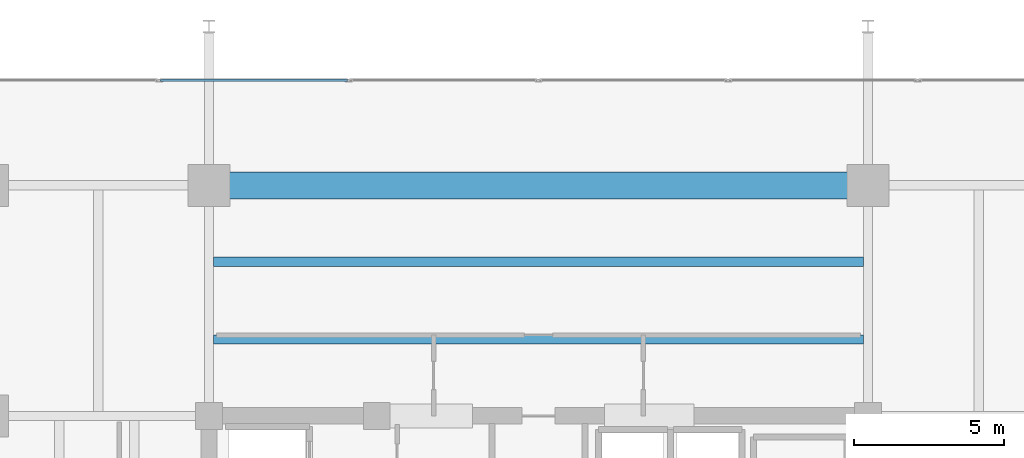
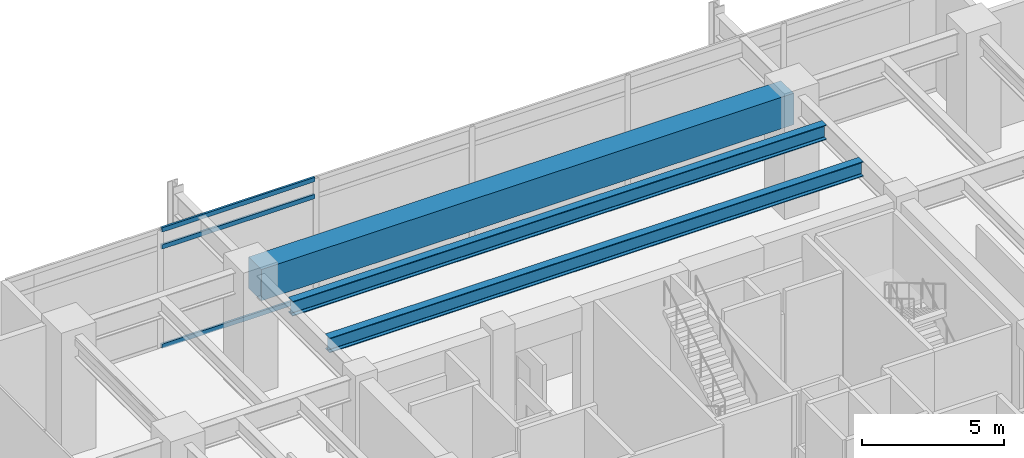
# One storey, part 15 of 24: 3 beams, 3 members, 1 element without a shape of its own.
"""IFC4 building model written with IfcOpenShell, lengths in metres."""

from ifc_helpers import new_model, si_unit, direction, frame, origin, origin_2d, place, context, subcontext, project, spatial, rectangle, hollow_rectangle, i_section, extrude, material, material_profile, profile_set, type_object, element, aggregate, save


model = new_model("IFC4")

# Units and contexts
model_context = context("Model", 3, precision=1e-05, world=origin(), true_north=direction((0.0, 1.0)))
body_context = subcontext(model_context, "Body", "Model", "MODEL_VIEW")
ifc_project = project(units=[si_unit("LENGTHUNIT", "METRE"), si_unit("AREAUNIT", "SQUARE_METRE"), si_unit("VOLUMEUNIT", "CUBIC_METRE"), si_unit("PLANEANGLEUNIT", "RADIAN"), si_unit("MASSUNIT", "GRAM", prefix="KILO")], contexts=[model_context])

# Site, building, storey
site_placement = place(None, origin())
site = spatial("IfcSite", under=ifc_project, at=site_placement, CompositionType="ELEMENT")
building_placement = place(site_placement, origin())
building = spatial("IfcBuilding", under=site, at=building_placement, Name="Kovane Verandah Tower", CompositionType="ELEMENT")
storey_placement = place(building_placement, frame((0.0, 0.0, 194.800048828125)))
storey = spatial("IfcBuildingStorey", under=building, at=storey_placement, Name="L45", CompositionType="ELEMENT", Elevation=194.800048828125)

# Beams
ifc_material_1 = material(Name="Concrete C80/95", Category="concrete")
ifc_material_profile_1 = material_profile(ifc_material_1, rectangle(XDim=0.89990234375, YDim=1.35009765625, at=origin_2d()), Name="RCB900x1350")
ifc_profile_set_1 = profile_set([ifc_material_profile_1], Name="Concrete C80/95")
beam_type_1 = type_object("IfcBeamType", Name="BM-TR-900x1350", PredefinedType="BEAM", material=ifc_profile_set_1)
beam_placement = place(storey_placement, frame((29.179931640625, 44.199951171875, 4.425048828125), z_axis=(1.0, 0.0, 0.0), x_axis=(0.0, 1.0, 0.0)))
element("IfcBeam", 1, at=beam_placement, inside=storey, type_object=beam_type_1, Name="L45 Primary Tower Girder G-RN2", PredefinedType="BEAM", context=body_context, shape_type="SweptSolid", body=[
    extrude(rectangle(XDim=0.89990234375, YDim=1.35009765625, at=origin_2d()), origin(), (0.0, 0.0, 1.0), 21.64013671875),
])
ifc_material_2 = material(Name="Steel S460", Category="steel")
ifc_material_profile_2 = material_profile(ifc_material_2, i_section(OverallWidth=0.311279296875, OverallDepth=0.6357421875, WebThickness=0.018310546875, FlangeThickness=0.031494140625, FilletRadius=0.0166015625, at=origin_2d()), Name="UB610x305x238")
ifc_profile_set_2 = profile_set([ifc_material_profile_2], Name="Steel S460")
beam_type_2 = type_object("IfcBeamType", Name="BM-UB610x238", PredefinedType="BEAM", material=ifc_profile_set_2)
for number, where, z_axis, x_axis, name in (
    (2, (29.15185546875, 39.050048828125, 4.781982421875), (1.0, 0.0, 0.0), (0.0, 1.0, 0.0), "L45 Secondary Composite Joist J-N1"),
    (3, (29.15185546875, 41.64990234375, 4.781982421875), (1.0, 0.0, 0.0), (0.0, 1.0, 0.0), "L45 Secondary Composite Joist J-N2"),
):
    element("IfcBeam", number, at=place(storey_placement, frame(where, z_axis=z_axis, x_axis=x_axis)), inside=storey, type_object=beam_type_2, Name=name, PredefinedType="BEAM", context=body_context, shape_type="SweptSolid", body=[
        extrude(i_section(OverallWidth=0.311279296875, OverallDepth=0.6357421875, WebThickness=0.018310546875, FlangeThickness=0.031494140625, FilletRadius=0.0166015625, at=origin_2d()), origin(), (0.0, 0.0, 1.0), 21.6962890625),
    ])

# Curtain wall, members
ifc_material_3 = material(Name="Champagne Anodised Aluminium Frame with Low-E Clear Laminated Glass", Category="aluminium")
curtain_wall_type = type_object("IfcCurtainWallType", Name="CW-SYS-04-WAIST", PredefinedType="NOTDEFINED", material=ifc_material_3)
curtain_wall_placement = place(storey_placement, origin())
curtain_wall = element("IfcCurtainWall", 4, at=curtain_wall_placement, inside=storey, type_object=curtain_wall_type, Name="L45 N Unitised Curtain Wall", PredefinedType="NOTDEFINED")
ifc_material_4 = material(Name="Champagne Anodised Aluminium 6063-T6", Category="aluminium")
ifc_material_profile_3 = material_profile(ifc_material_4, hollow_rectangle(XDim=0.0849609375, YDim=0.18994140625, WallThickness=0.00390625, at=origin_2d()), Name="AL85x190x4")
ifc_profile_set_3 = profile_set([ifc_material_profile_3], Name="Champagne Anodised Aluminium 6063-T6")
member_type = type_object("IfcMemberType", Name="CW-TRN-85x190", PredefinedType="USERDEFINED", material=ifc_profile_set_3)
member_1_placement = place(storey_placement, frame((33.61669921875, 47.699951171875, 0.050048828125), z_axis=(-1.0, 0.0, 0.0), x_axis=(0.0, -1.0, 0.0)))
member_1 = element("IfcMember", 5, at=member_1_placement, type_object=member_type, Name="L45 N Unitised Curtain Wall Transom TB Bay 5", ObjectType="TRANSOM", PredefinedType="USERDEFINED", context=body_context, shape_type="SweptSolid", body=[
    extrude(hollow_rectangle(XDim=0.0849609375, YDim=0.18994140625, WallThickness=0.00390625, at=origin_2d()), origin(), (0.0, 0.0, 1.0), 6.2333984375),
])
member_2_placement = place(storey_placement, frame((33.61669921875, 47.699951171875, 4.320068359375), z_axis=(-1.0, 0.0, 0.0), x_axis=(0.0, -1.0, 0.0)))
member_2 = element("IfcMember", 6, at=member_2_placement, type_object=member_type, Name="L45 N Unitised Curtain Wall Transom TM Bay 5", ObjectType="TRANSOM", PredefinedType="USERDEFINED", context=body_context, shape_type="SweptSolid", body=[
    extrude(hollow_rectangle(XDim=0.0849609375, YDim=0.18994140625, WallThickness=0.00390625, at=origin_2d()), origin(), (0.0, 0.0, 1.0), 6.2333984375),
])
member_3_placement = place(storey_placement, frame((33.61669921875, 47.699951171875, 5.050048828125), z_axis=(-1.0, 0.0, 0.0), x_axis=(0.0, -1.0, 0.0)))
member_3 = element("IfcMember", 7, at=member_3_placement, type_object=member_type, Name="L45 N Unitised Curtain Wall Transom TT Bay 5", ObjectType="TRANSOM", PredefinedType="USERDEFINED", context=body_context, shape_type="SweptSolid", body=[
    extrude(hollow_rectangle(XDim=0.0849609375, YDim=0.18994140625, WallThickness=0.00390625, at=origin_2d()), origin(), (0.0, 0.0, 1.0), 6.2333984375),
])
aggregate(curtain_wall, [member_1, member_2, member_3])

save(model, "model.ifc")
